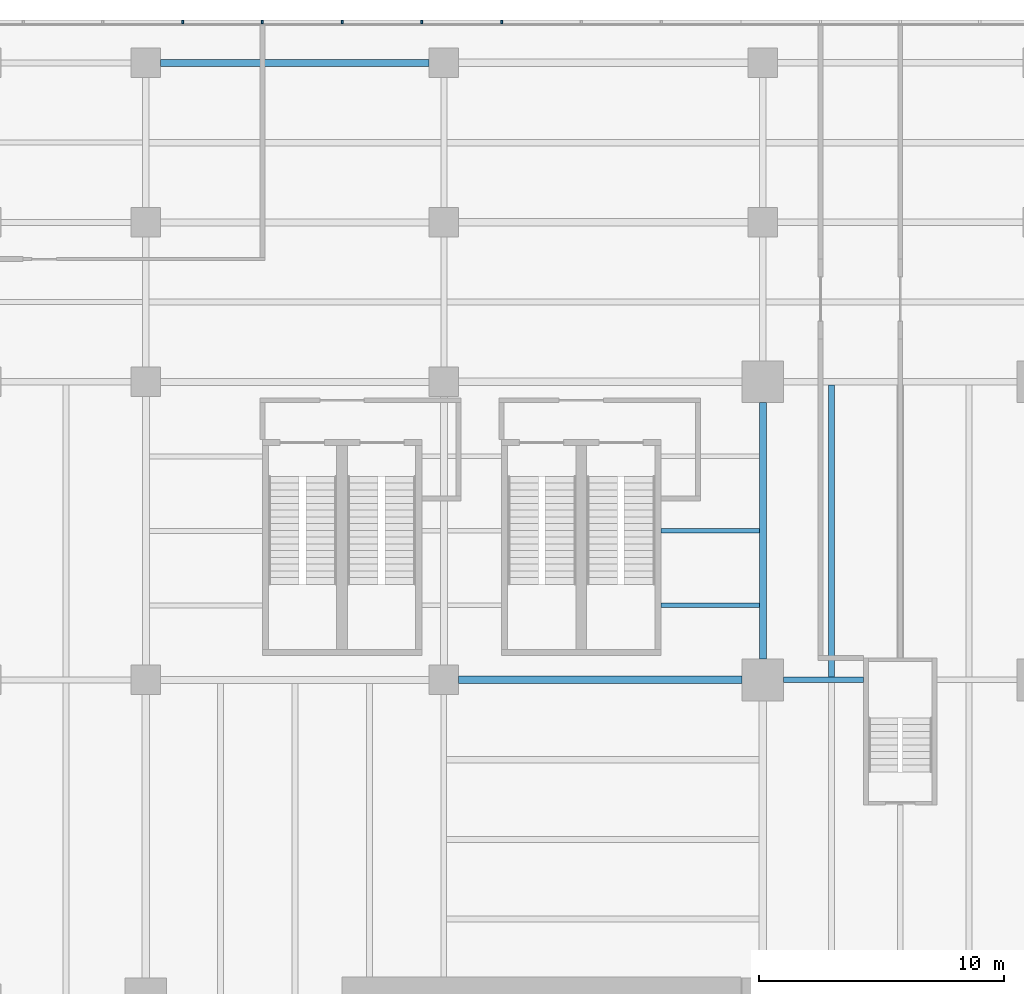
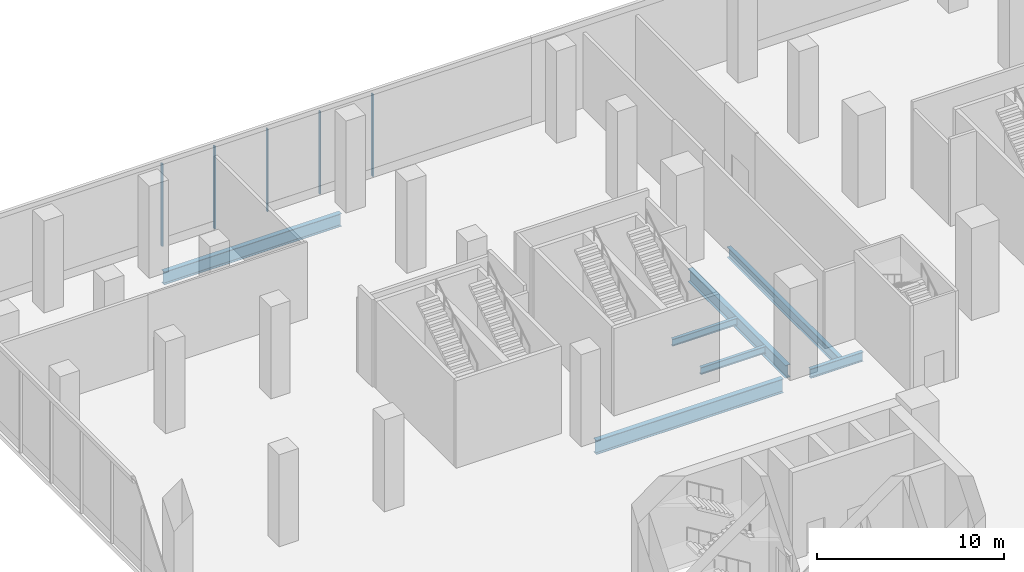
# One storey, part 23 of 41: 7 beams, 5 members, 1 element without a shape of its own.
"""IFC4 building model written with IfcOpenShell, lengths in metres."""

from ifc_helpers import new_model, si_unit, direction, frame, origin, origin_2d, place, context, subcontext, project, spatial, rectangle, i_section, extrude, source, transform, mapped, material, layer, layer_set, material_profile, profile_set, type_object, element, aggregate, save


model = new_model("IFC4")

# Units and contexts
model_context = context("Model", 3, precision=1e-05, world=origin(), true_north=direction((0.0, 1.0)))
body_context = subcontext(model_context, "Body", "Model", "MODEL_VIEW")
ifc_project = project(units=[si_unit("LENGTHUNIT", "METRE"), si_unit("AREAUNIT", "SQUARE_METRE"), si_unit("VOLUMEUNIT", "CUBIC_METRE"), si_unit("PLANEANGLEUNIT", "RADIAN"), si_unit("MASSUNIT", "GRAM", prefix="KILO")], contexts=[model_context])

# Site, building, storey
site_placement = place(None, origin())
site = spatial("IfcSite", under=ifc_project, at=site_placement, CompositionType="ELEMENT")
building_placement = place(site_placement, origin())
building = spatial("IfcBuilding", under=site, at=building_placement, Name="Trellis Farm Tower", CompositionType="ELEMENT")
storey_placement = place(building_placement, frame((0.0, 0.0, 8.0)))
storey = spatial("IfcBuildingStorey", under=building, at=storey_placement, Name="L01", CompositionType="ELEMENT", Elevation=8.0)

# Beams
ifc_material_1 = material(Name="Steel S355", Category="steel")
ifc_material_profile_1 = material_profile(ifc_material_1, i_section(OverallWidth=0.29248046875, OverallDepth=0.8408203125, WebThickness=0.0146484375, FlangeThickness=0.021728515625, FilletRadius=0.017822265625, at=origin_2d()), Name="UB 838x292x194")
ifc_profile_set_1 = profile_set([ifc_material_profile_1], Name="Steel S355")
beam_type_1 = type_object("IfcBeamType", Name="UB 838x292x194", PredefinedType="BEAM", material=ifc_profile_set_1)
shared_shape_1 = source(origin(), body_context, "Body", "SweptSolid", [
    extrude(i_section(OverallWidth=0.29248046875, OverallDepth=0.8408203125, WebThickness=0.0146484375, FlangeThickness=0.021728515625, FilletRadius=0.017822265625, at=origin_2d()), origin(), (0.0, 0.0, 1.0), 10.949951171875),
])
beam_1_placement = place(storey_placement, frame((-30.14990234375, 43.75, -0.72021484375), z_axis=(1.0, 0.0, 0.0), x_axis=(0.0, 1.0, 0.0)))
element("IfcBeam", 1, at=beam_1_placement, inside=storey, type_object=beam_type_1, Name="Girder", PredefinedType="BEAM", context=body_context, shape_type="MappedRepresentation", body=[
    mapped(shared_shape_1, transform((0.0, 0.0, 0.0))),
])
ifc_material_profile_2 = material_profile(ifc_material_1, i_section(OverallWidth=0.305419921875, OverallDepth=0.91845703125, WebThickness=0.017333984375, FlangeThickness=0.02783203125, FilletRadius=0.01904296875, at=origin_2d()), Name="UB 914x305x253")
ifc_profile_set_2 = profile_set([ifc_material_profile_2], Name="Steel S355")
beam_type_2 = type_object("IfcBeamType", Name="UB 914x305x253", PredefinedType="BEAM", material=ifc_profile_set_2)
shared_shape_2 = source(origin(), body_context, "Body", "SweptSolid", [
    extrude(i_section(OverallWidth=0.305419921875, OverallDepth=0.91845703125, WebThickness=0.017333984375, FlangeThickness=0.02783203125, FilletRadius=0.01904296875, at=origin_2d()), origin(), (0.0, 0.0, 1.0), 11.550048828125),
])
beam_2_placement = place(storey_placement, frame((-18.0, 18.60009765625, -0.75927734375), z_axis=(1.0, 0.0, 0.0), x_axis=(0.0, 1.0, 0.0)))
element("IfcBeam", 2, at=beam_2_placement, inside=storey, type_object=beam_type_2, Name="Girder", PredefinedType="BEAM", context=body_context, shape_type="MappedRepresentation", body=[
    mapped(shared_shape_2, transform((0.0, 0.0, 0.0))),
])
ifc_material_profile_3 = material_profile(ifc_material_1, i_section(OverallWidth=0.22900390625, OverallDepth=0.6123046875, WebThickness=0.011962890625, FlangeThickness=0.01953125, FilletRadius=0.0126953125, at=origin_2d()), Name="UB 610x229x125")
ifc_profile_set_3 = profile_set([ifc_material_profile_3], Name="Steel S355")
beam_type_3 = type_object("IfcBeamType", Name="UB 610x229x125", PredefinedType="BEAM", material=ifc_profile_set_3)
shared_shape_3 = source(origin(), body_context, "Body", "SweptSolid", [
    extrude(i_section(OverallWidth=0.22900390625, OverallDepth=0.6123046875, WebThickness=0.011962890625, FlangeThickness=0.01953125, FilletRadius=0.0126953125, at=origin_2d()), origin(), (0.0, 0.0, 1.0), 3.25),
])
beam_3_placement = place(storey_placement, frame((-4.75, 18.60009765625, -0.606201171875), z_axis=(1.0, 0.0, 0.0), x_axis=(0.0, 1.0, 0.0)))
element("IfcBeam", 3, at=beam_3_placement, inside=storey, type_object=beam_type_3, Name="Girder", PredefinedType="BEAM", context=body_context, shape_type="MappedRepresentation", body=[
    mapped(shared_shape_3, transform((0.0, 0.0, 0.0))),
])
shared_shape_4 = source(origin(), body_context, "Body", "SweptSolid", [
    extrude(i_section(OverallWidth=0.29248046875, OverallDepth=0.8408203125, WebThickness=0.0146484375, FlangeThickness=0.021728515625, FilletRadius=0.017822265625, at=origin_2d()), origin(), (0.0, 0.0, 1.0), 10.449951171875),
])
beam_4_placement = place(storey_placement, frame((-5.60009765625, 19.449951171875, -0.72021484375), z_axis=(0.0, 1.0, 0.0), x_axis=(-1.0, 0.0, 0.0)))
element("IfcBeam", 4, at=beam_4_placement, inside=storey, type_object=beam_type_1, Name="Girder", PredefinedType="BEAM", context=body_context, shape_type="MappedRepresentation", body=[
    mapped(shared_shape_4, transform((0.0, 0.0, 0.0))),
])
ifc_material_profile_4 = material_profile(ifc_material_1, i_section(OverallWidth=0.1904296875, OverallDepth=0.45703125, WebThickness=0.009033203125, FlangeThickness=0.014404296875, FilletRadius=0.01025390625, at=origin_2d()), Name="UB 457x191x74")
ifc_profile_set_4 = profile_set([ifc_material_profile_4], Name="Steel S355")
beam_type_4 = type_object("IfcBeamType", Name="UB 457x191x74 joist", PredefinedType="JOIST", material=ifc_profile_set_4)
shared_shape_5 = source(origin(), body_context, "Body", "SweptSolid", [
    extrude(i_section(OverallWidth=0.1904296875, OverallDepth=0.45703125, WebThickness=0.009033203125, FlangeThickness=0.014404296875, FilletRadius=0.01025390625, at=origin_2d()), origin(), (0.0, 0.0, 1.0), 4.00390625),
])
for number, where, z_axis, x_axis, name in (
    (5, (-9.75, 21.637451171875, -0.528564453125), (1.0, 0.0, 0.0), (0.0, 1.0, 0.0), "Floor beam"),
    (6, (-9.75, 24.675048828125, -0.528564453125), (1.0, 0.0, 0.0), (0.0, 1.0, 0.0), "Floor beam"),
):
    element("IfcBeam", number, at=place(storey_placement, frame(where, z_axis=z_axis, x_axis=x_axis)), inside=storey, type_object=beam_type_4, Name=name, PredefinedType="JOIST", context=body_context, shape_type="MappedRepresentation", body=[
        mapped(shared_shape_5, transform((0.0, 0.0, 0.0))),
    ])
ifc_material_profile_5 = material_profile(ifc_material_1, i_section(OverallWidth=0.253662109375, OverallDepth=0.68359375, WebThickness=0.012451171875, FlangeThickness=0.021728515625, FilletRadius=0.01513671875, at=origin_2d()), Name="UB 686x254x140")
ifc_profile_set_5 = profile_set([ifc_material_profile_5], Name="Steel S355")
beam_type_5 = type_object("IfcBeamType", Name="UB 686x254x140 joist", PredefinedType="JOIST", material=ifc_profile_set_5)
shared_shape_6 = source(origin(), body_context, "Body", "SweptSolid", [
    extrude(i_section(OverallWidth=0.253662109375, OverallDepth=0.68359375, WebThickness=0.012451171875, FlangeThickness=0.021728515625, FilletRadius=0.01513671875, at=origin_2d()), origin(), (0.0, 0.0, 1.0), 11.902099609375),
])
beam_5_placement = place(storey_placement, frame((-2.800048828125, 18.714599609375, -0.641845703125), z_axis=(0.0, 1.0, 0.0), x_axis=(-1.0, 0.0, 0.0)))
element("IfcBeam", 7, at=beam_5_placement, inside=storey, type_object=beam_type_5, Name="Floor beam", PredefinedType="JOIST", context=body_context, shape_type="MappedRepresentation", body=[
    mapped(shared_shape_6, transform((0.0, 0.0, 0.0))),
])

# Curtain wall, members
ifc_material_2 = material(Name="Aluminium and glass curtain wall", Category="aluminium")
ifc_layer = layer(ifc_material_2, 0.201904296875)
ifc_layer_set = layer_set([ifc_layer], Name="SHOPFRONT CURTAIN WALL CW2")
curtain_wall_type = type_object("IfcCurtainWallType", Name="SHOPFRONT CURTAIN WALL CW2", PredefinedType="NOTDEFINED", material=ifc_layer_set)
curtain_wall_placement = place(storey_placement, origin())
curtain_wall = element("IfcCurtainWall", 8, at=curtain_wall_placement, inside=storey, type_object=curtain_wall_type, Name="CW2 004", PredefinedType="NOTDEFINED")
ifc_material_3 = material(Name="Aluminium extrusion 6063-T6", Category="aluminium")
ifc_material_profile_6 = material_profile(ifc_material_3, rectangle(XDim=0.080078125, YDim=0.14990234375, at=origin_2d()), Name="MULLION 80x150")
ifc_profile_set_6 = profile_set([ifc_material_profile_6], Name="Aluminium extrusion 6063-T6")
member_type = type_object("IfcMemberType", Name="CW2 MULLION 80x150", PredefinedType="MULLION", material=ifc_profile_set_6)
shared_shape_7 = source(origin(), body_context, "Body", "SweptSolid", [
    extrude(rectangle(XDim=0.080078125, YDim=0.14990234375, at=origin_2d()), origin(), (0.0, 0.0, 1.0), 5.39990234375),
])
member_1_placement = place(storey_placement, frame((-16.25, 45.425048828125, 0.0), z_axis=(0.0, 0.0, 1.0), x_axis=(-1.0, 0.0, 0.0)))
member_1 = element("IfcMember", 9, at=member_1_placement, type_object=member_type, Name="MU2 004-03", PredefinedType="MULLION", context=body_context, shape_type="MappedRepresentation", body=[
    mapped(shared_shape_7, transform((0.0, 0.0, 0.0))),
])
member_2_placement = place(storey_placement, frame((-19.5, 45.425048828125, 0.0), z_axis=(0.0, 0.0, 1.0), x_axis=(-1.0, 0.0, 0.0)))
member_2 = element("IfcMember", 10, at=member_2_placement, type_object=member_type, Name="MU2 004-04", PredefinedType="MULLION", context=body_context, shape_type="MappedRepresentation", body=[
    mapped(shared_shape_7, transform((0.0, 0.0, 0.0))),
])
member_3_placement = place(storey_placement, frame((-22.75, 45.425048828125, 0.0), z_axis=(0.0, 0.0, 1.0), x_axis=(-1.0, 0.0, 0.0)))
member_3 = element("IfcMember", 11, at=member_3_placement, type_object=member_type, Name="MU2 004-05", PredefinedType="MULLION", context=body_context, shape_type="MappedRepresentation", body=[
    mapped(shared_shape_7, transform((0.0, 0.0, 0.0))),
])
member_4_placement = place(storey_placement, frame((-26.0, 45.425048828125, 0.0), z_axis=(0.0, 0.0, 1.0), x_axis=(-1.0, 0.0, 0.0)))
member_4 = element("IfcMember", 12, at=member_4_placement, type_object=member_type, Name="MU2 004-06", PredefinedType="MULLION", context=body_context, shape_type="MappedRepresentation", body=[
    mapped(shared_shape_7, transform((0.0, 0.0, 0.0))),
])
member_5_placement = place(storey_placement, frame((-29.25, 45.425048828125, 0.0), z_axis=(0.0, 0.0, 1.0), x_axis=(-1.0, 0.0, 0.0)))
member_5 = element("IfcMember", 13, at=member_5_placement, type_object=member_type, Name="MU2 004-07", PredefinedType="MULLION", context=body_context, shape_type="MappedRepresentation", body=[
    mapped(shared_shape_7, transform((0.0, 0.0, 0.0))),
])
aggregate(curtain_wall, [member_1, member_2, member_3, member_4, member_5])

save(model, "model.ifc")
